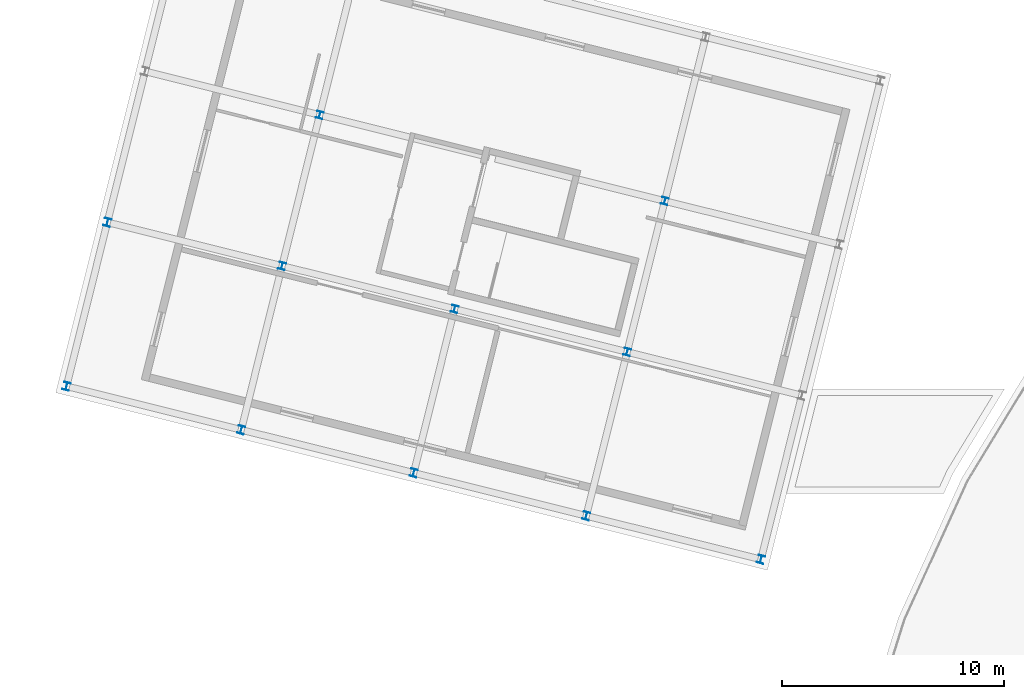
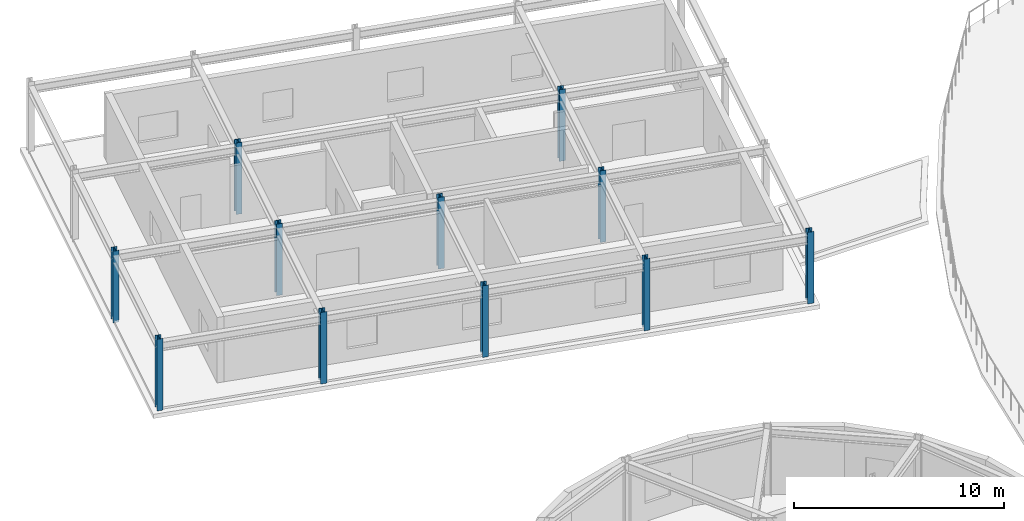
# One storey, part 7 of 59: 11 columns.
"""IFC4 building model written with IfcOpenShell, lengths in metres."""

from ifc_helpers import new_model, si_unit, direction, frame, origin, origin_2d, place, context, subcontext, project, spatial, i_section, extrude, material, material_profile, profile_set, type_object, element, save


model = new_model("IFC4")

# Units and contexts
model_context = context("Model", 3, precision=1e-05, world=origin(), true_north=direction((0.0, 1.0)))
body_context = subcontext(model_context, "Body", "Model", "MODEL_VIEW")
ifc_project = project(units=[si_unit("LENGTHUNIT", "METRE"), si_unit("AREAUNIT", "SQUARE_METRE"), si_unit("VOLUMEUNIT", "CUBIC_METRE"), si_unit("PLANEANGLEUNIT", "RADIAN"), si_unit("MASSUNIT", "GRAM", prefix="KILO")], contexts=[model_context])

# Site, building, storey
site_placement = place(None, origin())
site = spatial("IfcSite", under=ifc_project, at=site_placement, CompositionType="ELEMENT")
building_placement = place(site_placement, origin())
building = spatial("IfcBuilding", under=site, at=building_placement, Name="Varnklinge Art Gallery", CompositionType="ELEMENT")
storey_placement = place(building_placement, frame((0.0, 0.0, 9.52001953125)))
storey = spatial("IfcBuildingStorey", under=building, at=storey_placement, Name="L02", CompositionType="ELEMENT", Elevation=9.52001953125)

# Columns
ifc_material_1 = material(Name="Steel S355", Category="steel")
ifc_material_profile_1 = material_profile(ifc_material_1, i_section(OverallWidth=0.300048828125, OverallDepth=0.320068359375, WebThickness=0.011474609375, FlangeThickness=0.0205078125, FilletRadius=0.027099609375, at=origin_2d()), Name="HEB 320")
ifc_profile_set_1 = profile_set([ifc_material_profile_1], Name="Steel S355")
column_type_1 = type_object("IfcColumnType", Name="COL-09", PredefinedType="COLUMN", material=ifc_profile_set_1)
for number, where, z_axis, x_axis, name in (
    (1, (15.390869140625, 91.039306640625, 0.0), (0.0, 0.0, 1.0), (0.970295726276, -0.2419218956, 0.0), "L02 Column V5C-2-2"),
    (2, (17.08447265625, 97.831298828125, 0.0), (0.0, 0.0, 1.0), (0.970295726276, -0.2419218956, 0.0), "L02 Column V5C-2-3"),
    (3, (23.1533203125, 89.10400390625, 0.0), (0.0, 0.0, 1.0), (0.970295726276, -0.2419218956, 0.0), "L02 Column V5C-3-2"),
    (4, (30.91552734375, 87.168701171875, 0.0), (0.0, 0.0, 1.0), (0.970295726276, -0.2419218956, 0.0), "L02 Column V5C-4-2"),
    (5, (32.609130859375, 93.960693359375, 0.0), (0.0, 0.0, 1.0), (0.970295726276, -0.2419218956, 0.0), "L02 Column V5C-4-3"),
):
    element("IfcColumn", number, at=place(storey_placement, frame(where, z_axis=z_axis, x_axis=x_axis)), inside=storey, type_object=column_type_1, Name=name, PredefinedType="COLUMN", context=body_context, shape_type="SweptSolid", body=[
        extrude(i_section(OverallWidth=0.300048828125, OverallDepth=0.320068359375, WebThickness=0.011474609375, FlangeThickness=0.0205078125, FilletRadius=0.027099609375, at=origin_2d()), origin(), (0.0, 0.0, 1.0), 4.159912109375),
    ])
ifc_material_2 = material(Name="Steel S355", Category="steel")
ifc_material_profile_2 = material_profile(ifc_material_2, i_section(OverallWidth=0.300048828125, OverallDepth=0.360107421875, WebThickness=0.012451171875, FlangeThickness=0.0224609375, FilletRadius=0.027099609375, at=origin_2d()), Name="HEB 360")
ifc_profile_set_2 = profile_set([ifc_material_profile_2], Name="Steel S355")
column_type_2 = type_object("IfcColumnType", Name="COL-E4", PredefinedType="COLUMN", material=ifc_profile_set_2)
for number, where, z_axis, x_axis, name in (
    (6, (5.69287109375, 85.624755859375, 0.0), (0.0, 0.0, 1.0), (0.970295726276, -0.2419218956, 0.0), "L02 Column V5C-1-1"),
    (7, (7.531494140625, 92.998779296875, 0.0), (0.0, 0.0, 1.0), (0.970295726276, -0.2419218956, 0.0), "L02 Column V5C-1-2"),
    (8, (13.55224609375, 83.6650390625, 0.0), (0.0, 0.0, 1.0), (0.970295726276, -0.2419218956, 0.0), "L02 Column V5C-2-1"),
    (9, (21.314697265625, 81.729736328125, 0.0), (0.0, 0.0, 1.0), (0.970295726276, -0.2419218956, 0.0), "L02 Column V5C-3-1"),
    (10, (29.076904296875, 79.794189453125, 0.0), (0.0, 0.0, 1.0), (0.970295726276, -0.2419218956, 0.0), "L02 Column V5C-4-1"),
    (11, (36.936279296875, 77.834716796875, 0.0), (0.0, 0.0, 1.0), (0.970295726276, -0.2419218956, 0.0), "L02 Column V5C-5-1"),
):
    element("IfcColumn", number, at=place(storey_placement, frame(where, z_axis=z_axis, x_axis=x_axis)), inside=storey, type_object=column_type_2, Name=name, PredefinedType="COLUMN", context=body_context, shape_type="SweptSolid", body=[
        extrude(i_section(OverallWidth=0.300048828125, OverallDepth=0.360107421875, WebThickness=0.012451171875, FlangeThickness=0.0224609375, FilletRadius=0.027099609375, at=origin_2d()), origin(), (0.0, 0.0, 1.0), 4.159912109375),
    ])

save(model, "model.ifc")
